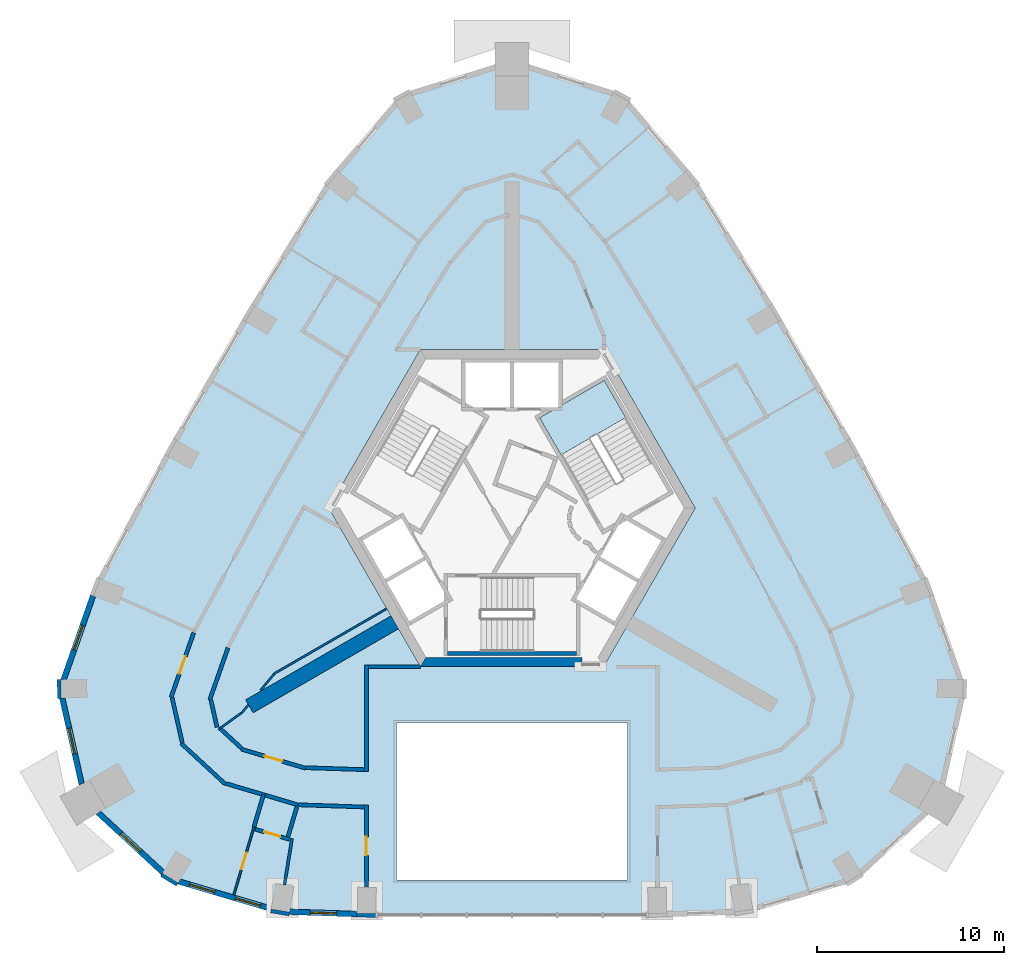
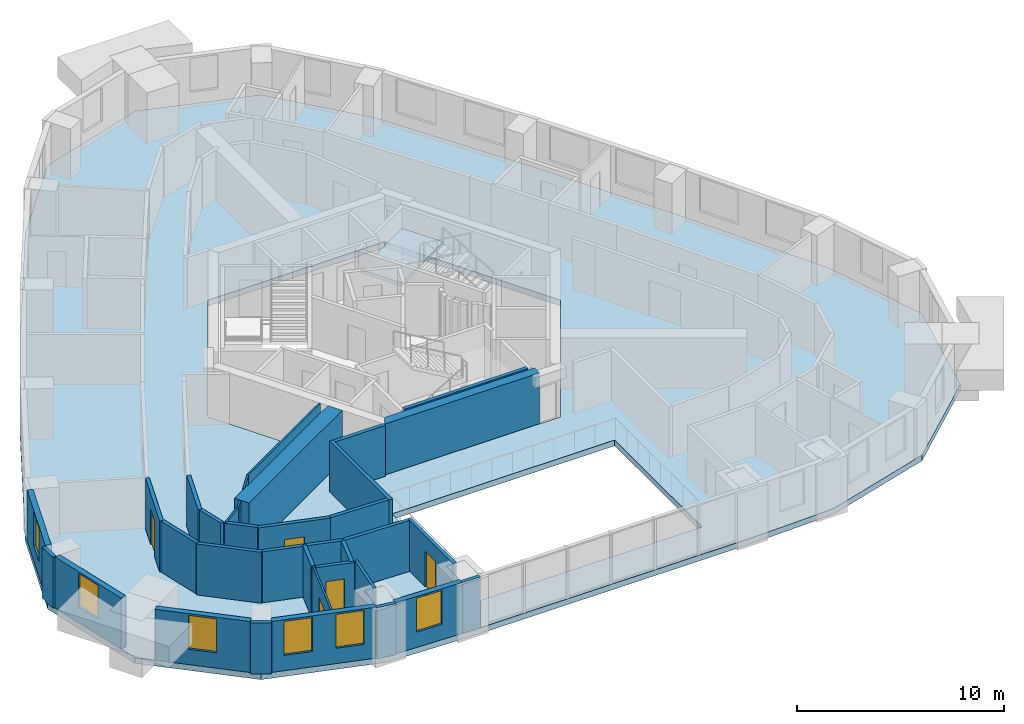
# One storey, part 3 of 10: 35 walls, 6 windows, 5 doors, 2 slabs, 11 openings, 1 element without a shape of its own.
"""IFC4 building model written with IfcOpenShell, lengths in metres."""

import ifcopenshell
import ifcopenshell.guid

model = None  # the IFC model being written
_history = None  # IfcOwnerHistory: only IFC2X3 demands one
_inside = {}  # id of a spatial element -> (the spatial element, [elements in it])
_under = {}  # id of a project, library or spatial element -> (it, [spatial elements below it])
_declared = {}  # id of a project -> (the project, [libraries it declares])
_typed = {}  # id of a type object -> (the type object, [elements of that type])
_made_of = {}  # id of a material, layer set ... -> (it, [elements and type objects made of it])


def new_model(schema):
    """Start an empty IFC model of exactly this schema.

    Asked for "IFC4X3", IfcOpenShell would pick the latest addendum, in which some entities
    have other attributes; the version numbers below select the first issue.
    IFC2X3 requires an IfcOwnerHistory on every rooted entity: one is made here for all.
    """
    global model, _history
    if schema == "IFC4X3":
        model = ifcopenshell.file(schema_version=(4, 3, 0, 0))
    else:
        model = ifcopenshell.file(schema=schema)
    _inside.clear()
    _under.clear()
    _declared.clear()
    _typed.clear()
    _made_of.clear()
    _history = None
    if model.schema == "IFC2X3":
        org = make("IfcOrganization", Name="unknown")
        user = make(
            "IfcPersonAndOrganization",
            ThePerson=make("IfcPerson", FamilyName="unknown"),
            TheOrganization=org,
        )
        app = make(
            "IfcApplication",
            ApplicationDeveloper=org,
            Version="unknown",
            ApplicationFullName="unknown",
            ApplicationIdentifier="unknown",
        )
        _history = make(
            "IfcOwnerHistory",
            OwningUser=user,
            OwningApplication=app,
            ChangeAction="ADDED",
            CreationDate=0,
        )
    return model


def make(cls, **values):
    """One entity of the class cls with the attributes given. An attribute that is None is left unset."""
    return model.create_entity(
        cls, **{name: value for name, value in values.items() if value is not None}
    )


def rooted(cls, **values):
    """An entity with a GlobalId (a new one), such as an element, a storey or a relation."""
    return make(cls, GlobalId=ifcopenshell.guid.new(), OwnerHistory=_history, **values)


def si_unit(unit_type, name, prefix=None):
    """IfcSIUnit, for example si_unit("LENGTHUNIT", "METRE", prefix="MILLI")."""
    return make("IfcSIUnit", UnitType=unit_type, Prefix=prefix, Name=name)


def assignment(units):
    """IfcUnitAssignment: the units of a project."""
    return None if units is None else make("IfcUnitAssignment", Units=units)


def point(xyz):
    """IfcCartesianPoint."""
    return None if xyz is None else make("IfcCartesianPoint", Coordinates=xyz)


def direction(xyz):
    """IfcDirection."""
    return None if xyz is None else make("IfcDirection", DirectionRatios=xyz)


def frame(location, z_axis=None, x_axis=None):
    """IfcAxis2Placement3D, a coordinate frame: its origin and axes. An axis left out is left unset."""
    return make(
        "IfcAxis2Placement3D",
        Location=point(location),
        Axis=direction(z_axis),
        RefDirection=direction(x_axis),
    )


def frame_2d(location, x_axis=None):
    """IfcAxis2Placement2D, a coordinate frame in the plane: its origin and x axis."""
    return make(
        "IfcAxis2Placement2D", Location=point(location), RefDirection=direction(x_axis)
    )


def origin():
    """The frame at (0, 0, 0) with its axes left unset."""
    return frame((0.0, 0.0, 0.0))


def place(relative_to, where):
    """IfcLocalPlacement: puts the frame where relative to a parent placement (None: the world)."""
    return make(
        "IfcLocalPlacement", PlacementRelTo=relative_to, RelativePlacement=where
    )


def context(
    kind, dimensions, precision=None, world=None, true_north=None, identifier=None
):
    """IfcGeometricRepresentationContext, for example the 3D "Model" context."""
    return make(
        "IfcGeometricRepresentationContext",
        ContextIdentifier=identifier,
        ContextType=kind,
        CoordinateSpaceDimension=dimensions,
        Precision=precision,
        WorldCoordinateSystem=world,
        TrueNorth=true_north,
    )


def subcontext(parent, identifier, kind, view, scale=None):
    """IfcGeometricRepresentationSubContext, for example "Body" below "Model"."""
    return make(
        "IfcGeometricRepresentationSubContext",
        ContextIdentifier=identifier,
        ContextType=kind,
        ParentContext=parent,
        TargetScale=scale,
        TargetView=view,
    )


def project(units=None, contexts=None):
    """IfcProject with its units and contexts."""
    return rooted(
        "IfcProject",
        Name="project",
        RepresentationContexts=contexts,
        UnitsInContext=assignment(units),
    )


def spatial(cls, under=None, at=None, **own):
    """A site, building, storey or space (cls), placed at a placement, below another one or the project."""
    s = rooted(cls, ObjectPlacement=at, **own)
    if under is not None:
        _under.setdefault(under.id(), (under, []))[1].append(s)
    return s


def polyline(points):
    """IfcPolyline through the points."""
    return make("IfcPolyline", Points=[point(p) for p in points])


def profile(cls, at=None, kind="AREA", **sizes):
    """A parametric profile (cls). Its sizes go by their IFC names, for example OverallWidth=200.0."""
    return make(cls, ProfileType=kind, Position=at, **sizes)


def rectangle(**sizes):
    """IfcRectangleProfileDef."""
    return profile("IfcRectangleProfileDef", **sizes)


def outline(outer, holes=None, kind="AREA"):
    """IfcArbitraryClosedProfileDef: a profile drawn as a closed curve; with holes, ...WithVoids."""
    if holes is None:
        return make("IfcArbitraryClosedProfileDef", ProfileType=kind, OuterCurve=outer)
    return make(
        "IfcArbitraryProfileDefWithVoids",
        ProfileType=kind,
        OuterCurve=outer,
        InnerCurves=holes,
    )


def extrude(swept, where, along, depth):
    """IfcExtrudedAreaSolid: the profile swept, set in the frame where, extruded along a direction by depth."""
    return make(
        "IfcExtrudedAreaSolid",
        SweptArea=swept,
        Position=where,
        ExtrudedDirection=direction(along),
        Depth=depth,
    )


def shape(context_of_items, identifier, shape_type, items):
    """IfcShapeRepresentation: the items that make up one representation, for example the "Body"."""
    return make(
        "IfcShapeRepresentation",
        ContextOfItems=context_of_items,
        RepresentationIdentifier=identifier,
        RepresentationType=shape_type,
        Items=items,
    )


def material(Name=None, Category=None):
    """IfcMaterial."""
    return make("IfcMaterial", Name=Name, Category=Category)


def layer(
    of_material, thickness, ventilated=None, Name=None, Category=None, Priority=None
):
    """IfcMaterialLayer: one layer of a wall or slab, of a material (None: an air gap)."""
    return make(
        "IfcMaterialLayer",
        Material=of_material,
        LayerThickness=thickness,
        IsVentilated=ventilated,
        Name=Name,
        Category=Category,
        Priority=Priority,
    )


def layer_set(layers, Name=None):
    """IfcMaterialLayerSet."""
    return make("IfcMaterialLayerSet", MaterialLayers=layers, LayerSetName=Name)


def made_of(thing, what):
    """Note that an element or type object is made of a material, layer set ...; save() writes the relation."""
    if what is not None:
        _made_of.setdefault(what.id(), (what, []))[1].append(thing)
    return thing


def type_object(cls, material=None, **own):
    """A type object (cls), such as IfcWallType, which elements share."""
    return made_of(rooted(cls, **own), material)


def element(
    cls,
    number,
    at=None,
    inside=None,
    cuts=None,
    type_object=None,
    material=None,
    context=None,
    identifier="Body",
    shape_type=None,
    held_by="IfcProductDefinitionShape",
    body=None,
    shapes=None,
    **own,
):
    """One element of the class cls, such as IfcWall. Its Tag is "e" and its number.

    at: its placement. inside: the storey or other place that contains it. cuts: it is an
    opening in that element (IfcRelVoidsElement). A single representation is given by context,
    identifier, shape_type and body (its items); several are given by shapes. held_by: the class
    of the entity that holds the representations. save() writes the other relations.
    """
    e = rooted(cls, Tag="e%d" % number, ObjectPlacement=at, **own)
    if body is not None:
        shapes = [shape(context, identifier, shape_type, body)]
    if shapes is not None:
        e.Representation = make(held_by, Representations=shapes)
    if inside is not None:
        _inside.setdefault(inside.id(), (inside, []))[1].append(e)
    if cuts is not None:
        rooted(
            "IfcRelVoidsElement", RelatingBuildingElement=cuts, RelatedOpeningElement=e
        )
    if type_object is not None:
        _typed.setdefault(type_object.id(), (type_object, []))[1].append(e)
    return made_of(e, material)


def fill(opening, filler):
    """IfcRelFillsElement: the door or window that sits in an opening."""
    return rooted(
        "IfcRelFillsElement",
        RelatingOpeningElement=opening,
        RelatedBuildingElement=filler,
    )


def aggregate(whole, parts):
    """IfcRelAggregates: a whole, such as a stair, and the parts it consists of."""
    return rooted("IfcRelAggregates", RelatingObject=whole, RelatedObjects=parts)


def save(model, path):
    """Write the relations noted so far, then the file.

    IfcRelAggregates (storeys below a building ...), IfcRelContainedInSpatialStructure (elements
    in a storey), IfcRelDefinesByType, IfcRelAssociatesMaterial and IfcRelDeclares: one each for
    every whole, place, type object, material and project.
    """
    for whole, parts in _under.values():
        aggregate(whole, parts)
    for where, things in _inside.values():
        rooted(
            "IfcRelContainedInSpatialStructure",
            RelatedElements=things,
            RelatingStructure=where,
        )
    for kind, things in _typed.values():
        rooted("IfcRelDefinesByType", RelatedObjects=things, RelatingType=kind)
    for what, things in _made_of.values():
        rooted("IfcRelAssociatesMaterial", RelatedObjects=things, RelatingMaterial=what)
    for by, libraries in _declared.values():
        rooted("IfcRelDeclares", RelatingContext=by, RelatedDefinitions=libraries)
    model.write(path)


model = new_model("IFC4")

# Units and contexts
model_context = context("Model", 3, precision=1e-05, world=origin(), true_north=direction((0.0, 1.0)))
body_context = subcontext(model_context, "Body", "Model", "MODEL_VIEW")
ifc_project = project(units=[si_unit("LENGTHUNIT", "METRE"), si_unit("AREAUNIT", "SQUARE_METRE"), si_unit("VOLUMEUNIT", "CUBIC_METRE"), si_unit("PLANEANGLEUNIT", "RADIAN"), si_unit("MASSUNIT", "GRAM", prefix="KILO")], contexts=[model_context])

# Site, building, storey
site_placement = place(None, origin())
site = spatial("IfcSite", under=ifc_project, at=site_placement, CompositionType="ELEMENT")
building_placement = place(site_placement, origin())
building = spatial("IfcBuilding", under=site, at=building_placement, Name="Entoto Arch Interchange Tower", CompositionType="ELEMENT")
storey_placement = place(building_placement, frame((0.0, 0.0, 322.39990234375)))
storey = spatial("IfcBuildingStorey", under=building, at=storey_placement, Name="L76", CompositionType="ELEMENT", Elevation=322.39990234375)

# Stair, slab
ifc_material_1 = material(Name="Concrete C40/50", Category="concrete")
stair_type = type_object("IfcStairType", Name="EXIT STAIR RC 1800", PredefinedType="HALF_TURN_STAIR", material=ifc_material_1)
stair_placement = place(storey_placement, origin())
stair = element("IfcStair", 1, at=stair_placement, inside=storey, type_object=stair_type, Name="L76 Exit stair NE", PredefinedType="HALF_TURN_STAIR")
ifc_layer_1 = layer(ifc_material_1, 0.199951171875)
ifc_layer_set_1 = layer_set([ifc_layer_1], Name="Concrete C40/50")
slab_type_1 = type_object("IfcSlabType", Name="EXIT STAIR LANDING RC 200", PredefinedType="LANDING", material=ifc_layer_set_1)
slab_1_placement = place(storey_placement, frame((0.0, 0.0, 1.60009765625)))
slab_1 = element("IfcSlab", 2, at=slab_1_placement, type_object=slab_type_1, Name="ST-NE landing 1", PredefinedType="LANDING", context=body_context, shape_type="SweptSolid", body=[
    extrude(outline(polyline([(6.093505859375, 7.345947265625), (4.943359375, 9.337890625), (1.479248046875, 7.337890625), (2.62939453125, 5.345947265625), (6.093505859375, 7.345947265625)])), origin(), (0.0, 0.0, 1.0), 0.199951171875),
])
aggregate(stair, [slab_1])

# Slab
ifc_layer_2 = layer(ifc_material_1, 0.340087890625)
ifc_layer_set_2 = layer_set([ifc_layer_2], Name="Concrete C40/50")
slab_type_2 = type_object("IfcSlabType", Name="Post-tensioned flat plate 340 C40/50", PredefinedType="FLOOR", material=ifc_layer_set_2)
slab_2_placement = place(storey_placement, frame((0.0, 0.0, -0.33984375)))
element("IfcSlab", 3, at=slab_2_placement, inside=storey, type_object=slab_type_2, Name="Floor slab L76", PredefinedType="FLOOR", context=body_context, shape_type="SweptSolid", body=[
    extrude(outline(polyline([(-12.447998046875, -19.27197265625), (-7.800048828125, -19.427978515625), (7.800048828125, -19.427978515625), (12.447998046875, -19.27197265625), (18.41796875, -17.501953125), (22.99609375, -13.277099609375), (24.365966796875, -7.198974609375), (22.43310546875, -1.68798828125), (18.385986328125, 5.797119140625), (14.212890625, 13.02392578125), (9.75390625, 20.27197265625), (5.947998046875, 24.700927734375), (0.0, 26.552978515625), (-5.947998046875, 24.700927734375), (-9.75390625, 20.27197265625), (-14.212890625, 13.02392578125), (-18.385986328125, 5.797119140625), (-22.43310546875, -1.68798828125), (-24.365966796875, -7.198974609375), (-22.99609375, -13.277099609375), (-18.41796875, -17.501953125), (-12.447998046875, -19.27197265625)]), holes=[polyline([(6.199951171875, -17.427978515625), (6.199951171875, -9.0), (-6.199951171875, -9.0), (-6.199951171875, -17.427978515625), (6.199951171875, -17.427978515625)]), polyline([(9.81494140625, 2.5), (4.906982421875, 11.0), (-4.906982421875, 11.0), (-9.81494140625, 2.5), (-4.906982421875, -6.0), (4.906982421875, -6.0), (9.81494140625, 2.5)])]), origin(), (0.0, 0.0, 1.0), 0.33984375),
])

# Walls
ifc_layer_3 = layer(ifc_material_1, 0.800048828125)
ifc_layer_set_3 = layer_set([ifc_layer_3], Name="Concrete C40/50")
wall_type_1 = type_object("IfcWallType", Name="Buttress wall 800 C40/50", PredefinedType="SHEAR", material=ifc_layer_set_3)
wall_1_placement = place(storey_placement, frame((-6.279052734375, -3.625, -0.33984375), z_axis=(0.0, 0.0, 1.0), x_axis=(-0.866017533419, -0.500013631625, 0.0)))
element("IfcWall", 4, at=wall_1_placement, inside=storey, type_object=wall_type_1, Name="Buttress wall SW L76", PredefinedType="SHEAR", context=body_context, shape_type="SweptSolid", body=[
    extrude(rectangle(XDim=8.999755859375, YDim=0.800048828125, at=frame_2d((4.5, 0.0))), origin(), (0.0, 0.0, 1.0), 3.33984375),
])
ifc_layer_4 = layer(ifc_material_1, 0.5)
ifc_layer_set_4 = layer_set([ifc_layer_4], Name="Concrete C40/50")
wall_type_2 = type_object("IfcWallType", Name="Core wall 500 C40/50", PredefinedType="SHEAR", material=ifc_layer_set_4)
wall_2_placement = place(storey_placement, frame((0.0, 0.0, -0.33984375)))
element("IfcWall", 5, at=wall_2_placement, inside=storey, type_object=wall_type_2, Name="Core wall S L76", PredefinedType="SHEAR", context=body_context, shape_type="SweptSolid", body=[
    extrude(outline(polyline([(3.75, -6.0), (3.75, -5.5), (-4.618896484375, -5.5), (-4.906982421875, -6.0), (3.75, -6.0)])), origin(), (0.0, 0.0, 1.0), 3.33984375),
])
ifc_material_2 = material(Name="Gypsum board partition on steel studs", Category="steel")
ifc_layer_5 = layer(ifc_material_2, 0.10009765625)
ifc_layer_set_5 = layer_set([ifc_layer_5], Name="Gypsum board partition on steel studs")
wall_type_3 = type_object("IfcWallType", Name="PARTITION 100", PredefinedType="PARTITIONING", material=ifc_layer_set_5)
wall_3_placement = place(storey_placement, frame((-6.705078125, -2.886962890625, 0.0), z_axis=(0.0, 0.0, 1.0), x_axis=(-0.866001397039, -0.500041578597, 0.0)))
element("IfcWall", 6, at=wall_3_placement, inside=storey, type_object=wall_type_3, Name="wall:L76:p077", PredefinedType="PARTITIONING", context=body_context, shape_type="SweptSolid", body=[
    extrude(rectangle(XDim=6.99755859375, YDim=0.10009765625, at=frame_2d((3.498779296875, 0.0))), origin(), (0.0, 0.0, 1.0), 3.0),
])
wall_4_placement = place(storey_placement, frame((-12.7529296875, -6.39892578125, 0.0), z_axis=(0.0, 0.0, 1.0), x_axis=(-0.640077503072, -0.768310347491, 0.0)))
element("IfcWall", 7, at=wall_4_placement, inside=storey, type_object=wall_type_3, Name="wall:L76:p078", PredefinedType="PARTITIONING", context=body_context, shape_type="SweptSolid", body=[
    extrude(rectangle(XDim=1.123291015625, YDim=0.10009765625, at=frame_2d((0.5615234375, 0.0))), origin(), (0.0, 0.0, 1.0), 3.0),
])
wall_5_placement = place(storey_placement, frame((-14.507080078125, -8.486083984375, 0.0), z_axis=(0.0, 0.0, 1.0), x_axis=(-0.812782900134, -0.582566697684, 0.0)))
element("IfcWall", 8, at=wall_5_placement, inside=storey, type_object=wall_type_3, Name="wall:L76:p079", PredefinedType="PARTITIONING", context=body_context, shape_type="SweptSolid", body=[
    extrude(rectangle(XDim=1.4072265625, YDim=0.10009765625, at=frame_2d((0.70361328125, 0.0))), origin(), (0.0, 0.0, 1.0), 3.0),
])

# Wall, opening, door
wall_6_placement = place(storey_placement, frame((-13.827880859375, -14.5869140625, 0.0), z_axis=(0.0, 0.0, 1.0), x_axis=(-0.284245833657, -0.958751430794, 0.0)))
wall_6 = element("IfcWall", 9, at=wall_6_placement, inside=storey, type_object=wall_type_3, Name="wall:L76:p104", PredefinedType="PARTITIONING", context=body_context, shape_type="SweptSolid", body=[
    extrude(rectangle(XDim=3.7998046875, YDim=0.10009765625, at=frame_2d((1.89990234375, 0.0))), origin(), (0.0, 0.0, 1.0), 3.0),
])
opening_1_placement = place(wall_6_placement, frame((1.449951171875, 0.0, 0.0)))
opening_1 = element("IfcOpeningElement", 10, at=opening_1_placement, cuts=wall_6, Name="Opening L76-D14", PredefinedType="OPENING", context=body_context, shape_type="SweptSolid", body=[
    extrude(rectangle(XDim=0.89990234375, YDim=2.10009765625, at=frame_2d((0.449951171875, 1.050048828125))), frame((0.0, 0.06005859375, 0.0), z_axis=(0.0, -1.0, 0.0), x_axis=(1.0, 0.0, 0.0)), (0.0, 0.0, 1.0), 0.1201171875),
])
ifc_material_3 = material(Name="Timber door leaf in Steel S235 frame", Category="steel")
door_type_1 = type_object("IfcDoorType", Name="DOOR DS-09 900x2100", OperationType="SINGLE_SWING_LEFT", PredefinedType="DOOR", material=ifc_material_3)
door_1_placement = place(opening_1_placement, origin())
door_1 = element("IfcDoor", 11, at=door_1_placement, inside=storey, type_object=door_type_1, Name="door:L76:14", OperationType="SINGLE_SWING_RIGHT", OverallHeight=2.10009765625, OverallWidth=0.89990234375, PredefinedType="DOOR", context=body_context, shape_type="SweptSolid", body=[
    extrude(rectangle(XDim=0.89990234375, YDim=2.10009765625, at=frame_2d((0.449951171875, 1.050048828125))), frame((0.0, 0.02490234375, 0.0), z_axis=(0.0, -1.0, 0.0), x_axis=(1.0, 0.0, 0.0)), (0.0, 0.0, 1.0), 0.050048828125),
])
fill(opening_1, door_1)

# Walls
wall_7_placement = place(storey_placement, frame((-14.133056640625, -8.055908203125, 0.0), z_axis=(0.0, 0.0, 1.0), x_axis=(-0.640142394154, -0.768256282244, 0.0)))
element("IfcWall", 12, at=wall_7_placement, inside=storey, type_object=wall_type_3, Name="wall:L76:p078", PredefinedType="PARTITIONING", context=body_context, shape_type="SweptSolid", body=[
    extrude(rectangle(XDim=0.57177734375, YDim=0.10009765625, at=frame_2d((0.285888671875, 0.0))), origin(), (0.0, 0.0, 1.0), 3.0),
])
ifc_layer_6 = layer(ifc_material_2, 0.14990234375)
ifc_layer_set_6 = layer_set([ifc_layer_6], Name="Gypsum board partition on steel studs")
wall_type_4 = type_object("IfcWallType", Name="PARTITION 150", PredefinedType="PARTITIONING", material=ifc_layer_set_6)
wall_8_placement = place(storey_placement, frame((-11.7900390625, -15.216064453125, 0.0), z_axis=(0.0, 0.0, 1.0), x_axis=(-0.159880010227, -0.98713645578, 0.0)))
element("IfcWall", 13, at=wall_8_placement, inside=storey, type_object=wall_type_4, Name="wall:L76:p107", PredefinedType="PARTITIONING", context=body_context, shape_type="SweptSolid", body=[
    extrude(rectangle(XDim=2.489013671875, YDim=0.14990234375, at=frame_2d((1.24462890625, 0.0))), origin(), (0.0, 0.0, 1.0), 3.0),
])
ifc_layer_7 = layer(ifc_material_2, 0.199951171875)
ifc_layer_set_7 = layer_set([ifc_layer_7], Name="Gypsum board partition on steel studs")
wall_type_5 = type_object("IfcWallType", Name="PARTITION 200", PredefinedType="PARTITIONING", material=ifc_layer_set_7)
wall_9_placement = place(storey_placement, frame((-15.218994140625, -4.988037109375, 0.0), z_axis=(0.0, 0.0, 1.0), x_axis=(-0.330981563235, -0.943637220969, 0.0)))
element("IfcWall", 14, at=wall_9_placement, inside=storey, type_object=wall_type_5, Name="wall:L76:p023", PredefinedType="PARTITIONING", context=body_context, shape_type="SweptSolid", body=[
    extrude(rectangle(XDim=2.946044921875, YDim=0.199951171875, at=frame_2d((1.47314453125, 0.0))), origin(), (0.0, 0.0, 1.0), 3.0),
])
wall_10_placement = place(storey_placement, frame((-16.138916015625, -7.77197265625, 0.0), z_axis=(0.0, 0.0, 1.0), x_axis=(0.220111291919, -0.975474766034, 0.0)))
element("IfcWall", 15, at=wall_10_placement, inside=storey, type_object=wall_type_5, Name="wall:L76:p024", PredefinedType="PARTITIONING", context=body_context, shape_type="SweptSolid", body=[
    extrude(rectangle(XDim=1.5029296875, YDim=0.199951171875, at=frame_2d((0.75146484375, 0.0))), origin(), (0.0, 0.0, 1.0), 3.0),
])
wall_11_placement = place(storey_placement, frame((-15.68701171875, -9.27197265625, 0.0), z_axis=(0.0, 0.0, 1.0), x_axis=(0.734946370973, -0.67812523312, 0.0)))
element("IfcWall", 16, at=wall_11_placement, inside=storey, type_object=wall_type_5, Name="wall:L76:p026", PredefinedType="PARTITIONING", context=body_context, shape_type="SweptSolid", body=[
    extrude(rectangle(XDim=1.636962890625, YDim=0.199951171875, at=frame_2d((0.818359375, 0.0))), origin(), (0.0, 0.0, 1.0), 3.0),
])

# Wall, opening, door
wall_12_placement = place(storey_placement, frame((-14.506103515625, -10.422119140625, 0.0), z_axis=(0.0, 0.0, 1.0), x_axis=(0.958760241353, -0.284216114252, 0.0)))
wall_12 = element("IfcWall", 17, at=wall_12_placement, inside=storey, type_object=wall_type_5, Name="wall:L76:p027", PredefinedType="PARTITIONING", context=body_context, shape_type="SweptSolid", body=[
    extrude(rectangle(XDim=3.57763671875, YDim=0.199951171875, at=frame_2d((1.788818359375, 0.0))), origin(), (0.0, 0.0, 1.0), 3.0),
])
opening_2_placement = place(wall_12_placement, frame((1.2890625, 0.0, 0.0)))
opening_2 = element("IfcOpeningElement", 18, at=opening_2_placement, cuts=wall_12, Name="Opening L76-D23", PredefinedType="OPENING", context=body_context, shape_type="SweptSolid", body=[
    extrude(rectangle(XDim=1.0, YDim=2.10009765625, at=frame_2d((0.5, 1.050048828125))), frame((0.0, 0.10986328125, 0.0), z_axis=(0.0, -1.0, 0.0), x_axis=(1.0, 0.0, 0.0)), (0.0, 0.0, 1.0), 0.219970703125),
])
door_type_2 = type_object("IfcDoorType", Name="DOOR DS-10 1000x2100", OperationType="SINGLE_SWING_LEFT", PredefinedType="DOOR", material=ifc_material_3)
door_2_placement = place(opening_2_placement, origin())
door_2 = element("IfcDoor", 19, at=door_2_placement, inside=storey, type_object=door_type_2, Name="door:L76:23", OperationType="SINGLE_SWING_RIGHT", OverallHeight=2.10009765625, OverallWidth=1.0, PredefinedType="DOOR", context=body_context, shape_type="SweptSolid", body=[
    extrude(rectangle(XDim=1.0, YDim=2.10009765625, at=frame_2d((0.5, 1.050048828125))), frame((0.0, 0.02490234375, 0.0), z_axis=(0.0, -1.0, 0.0), x_axis=(1.0, 0.0, 0.0)), (0.0, 0.0, 1.0), 0.050048828125),
])
fill(opening_2, door_2)

# Walls
wall_13_placement = place(storey_placement, frame((-11.072021484375, -11.4140625, 0.0), z_axis=(0.0, 0.0, 1.0), x_axis=(0.999442599499, -0.033383982774, 0.0)))
element("IfcWall", 20, at=wall_13_placement, inside=storey, type_object=wall_type_5, Name="wall:L76:p028", PredefinedType="PARTITIONING", context=body_context, shape_type="SweptSolid", body=[
    extrude(rectangle(XDim=3.173828125, YDim=0.199951171875, at=frame_2d((1.5869140625, 0.0))), origin(), (0.0, 0.0, 1.0), 3.0),
])
wall_14_placement = place(storey_placement, frame((-13.219970703125, -12.888916015625, 0.0), z_axis=(0.0, 0.0, 1.0), x_axis=(-0.958789155152, 0.284118559693, 0.0)))
element("IfcWall", 21, at=wall_14_placement, inside=storey, type_object=wall_type_5, Name="wall:L76:p051", PredefinedType="PARTITIONING", context=body_context, shape_type="SweptSolid", body=[
    extrude(rectangle(XDim=2.19970703125, YDim=0.199951171875, at=frame_2d((1.099853515625, 0.0))), origin(), (0.0, 0.0, 1.0), 3.0),
])
wall_15_placement = place(storey_placement, frame((-15.35205078125, -12.302978515625, 0.0), z_axis=(0.0, 0.0, 1.0), x_axis=(-0.734786003021, 0.67829899732, 0.0)))
element("IfcWall", 22, at=wall_15_placement, inside=storey, type_object=wall_type_5, Name="wall:L76:p052", PredefinedType="PARTITIONING", context=body_context, shape_type="SweptSolid", body=[
    extrude(rectangle(XDim=3.219970703125, YDim=0.199951171875, at=frame_2d((1.60986328125, 0.0))), origin(), (0.0, 0.0, 1.0), 3.0),
])
wall_16_placement = place(storey_placement, frame((-17.666015625, -10.090087890625, 0.0), z_axis=(0.0, 0.0, 1.0), x_axis=(-0.219979161162, 0.975504571314, 0.0)))
element("IfcWall", 23, at=wall_16_placement, inside=storey, type_object=wall_type_5, Name="wall:L76:p053", PredefinedType="PARTITIONING", context=body_context, shape_type="SweptSolid", body=[
    extrude(rectangle(XDim=2.50048828125, YDim=0.199951171875, at=frame_2d((1.250244140625, 0.0))), origin(), (0.0, 0.0, 1.0), 3.0),
])

# Wall, opening, door
wall_17_placement = place(storey_placement, frame((-18.27099609375, -7.64794921875, 0.0), z_axis=(0.0, 0.0, 1.0), x_axis=(0.33112192567, 0.943587977001, 0.0)))
wall_17 = element("IfcWall", 24, at=wall_17_placement, inside=storey, type_object=wall_type_5, Name="wall:L76:p054", PredefinedType="PARTITIONING", context=body_context, shape_type="SweptSolid", body=[
    extrude(rectangle(XDim=3.678466796875, YDim=0.199951171875, at=frame_2d((1.83935546875, 0.0))), origin(), (0.0, 0.0, 1.0), 3.0),
])
opening_3_placement = place(wall_17_placement, frame((1.339111328125, 0.0, 0.0)))
opening_3 = element("IfcOpeningElement", 25, at=opening_3_placement, cuts=wall_17, Name="Opening L76-D13", PredefinedType="OPENING", context=body_context, shape_type="SweptSolid", body=[
    extrude(rectangle(XDim=1.0, YDim=2.10009765625, at=frame_2d((0.5, 1.050048828125))), frame((0.0, 0.10986328125, 0.0), z_axis=(0.0, -1.0, 0.0), x_axis=(1.0, 0.0, 0.0)), (0.0, 0.0, 1.0), 0.219970703125),
])
ifc_material_4 = material(Name="Fire-rated Steel S235 door and frame", Category="steel")
door_type_3 = type_object("IfcDoorType", Name="DOOR FD-10 1000x2100", OperationType="SINGLE_SWING_LEFT", PredefinedType="DOOR", material=ifc_material_4)
door_3_placement = place(opening_3_placement, origin())
door_3 = element("IfcDoor", 26, at=door_3_placement, inside=storey, type_object=door_type_3, Name="door:L76:13", OperationType="SINGLE_SWING_LEFT", OverallHeight=2.10009765625, OverallWidth=1.0, PredefinedType="DOOR", context=body_context, shape_type="SweptSolid", body=[
    extrude(rectangle(XDim=1.0, YDim=2.10009765625, at=frame_2d((0.5, 1.050048828125))), frame((0.0, 0.02490234375, 0.0), z_axis=(0.0, -1.0, 0.0), x_axis=(1.0, 0.0, 0.0)), (0.0, 0.0, 1.0), 0.050048828125),
])
fill(opening_3, door_3)

# Walls
wall_18_placement = place(storey_placement, frame((-11.4951171875, -13.40087890625, 0.0), z_axis=(0.0, 0.0, 1.0), x_axis=(-0.958662482938, 0.284545679649, 0.0)))
element("IfcWall", 27, at=wall_18_placement, inside=storey, type_object=wall_type_5, Name="wall:L76:p055", PredefinedType="PARTITIONING", context=body_context, shape_type="SweptSolid", body=[
    extrude(rectangle(XDim=1.79931640625, YDim=0.199951171875, at=frame_2d((0.899658203125, 0.0))), origin(), (0.0, 0.0, 1.0), 3.0),
])
wall_19_placement = place(storey_placement, frame((-7.89990234375, -13.52099609375, 0.0), z_axis=(0.0, 0.0, 1.0), x_axis=(-0.999437184802, 0.033545694739, 0.0)))
element("IfcWall", 28, at=wall_19_placement, inside=storey, type_object=wall_type_5, Name="wall:L76:p056", PredefinedType="PARTITIONING", context=body_context, shape_type="SweptSolid", body=[
    extrude(rectangle(XDim=3.697265625, YDim=0.199951171875, at=frame_2d((1.8486328125, 0.0))), origin(), (0.0, 0.0, 1.0), 3.0),
])
wall_20_placement = place(storey_placement, frame((-7.800048828125, -11.6240234375, 0.0), z_axis=(0.0, 0.0, 1.0), x_axis=(0.0, 1.0, 0.0)))
element("IfcWall", 29, at=wall_20_placement, inside=storey, type_object=wall_type_5, Name="wall:L76:p071", PredefinedType="PARTITIONING", context=body_context, shape_type="SweptSolid", body=[
    extrude(rectangle(XDim=5.72509765625, YDim=0.199951171875, at=frame_2d((2.862548828125, 0.0))), origin(), (0.0, 0.0, 1.0), 3.0),
])
wall_21_placement = place(storey_placement, frame((-7.699951171875, -5.9990234375, 0.0), z_axis=(0.0, 0.0, 1.0), x_axis=(1.0, 0.0, 0.0)))
element("IfcWall", 30, at=wall_21_placement, inside=storey, type_object=wall_type_5, Name="wall:L76:p072", PredefinedType="PARTITIONING", context=body_context, shape_type="SweptSolid", body=[
    extrude(rectangle(XDim=2.7919921875, YDim=0.199951171875, at=frame_2d((1.39599609375, 0.0))), origin(), (0.0, 0.0, 1.0), 3.0),
])

# Wall, opening, door
wall_22_placement = place(storey_placement, frame((-7.800048828125, -17.80810546875, 0.0), z_axis=(0.0, 0.0, 1.0), x_axis=(0.0, 1.0, 0.0)))
wall_22 = element("IfcWall", 31, at=wall_22_placement, inside=storey, type_object=wall_type_5, Name="wall:L76:p074", PredefinedType="PARTITIONING", context=body_context, shape_type="SweptSolid", body=[
    extrude(rectangle(XDim=4.383056640625, YDim=0.199951171875, at=frame_2d((2.19140625, 0.0))), origin(), (0.0, 0.0, 1.0), 3.0),
])
opening_4_placement = place(wall_22_placement, frame((1.69091796875, 0.0, 0.0)))
opening_4 = element("IfcOpeningElement", 32, at=opening_4_placement, cuts=wall_22, Name="Opening L76-D18", PredefinedType="OPENING", context=body_context, shape_type="SweptSolid", body=[
    extrude(rectangle(XDim=1.0, YDim=2.10009765625, at=frame_2d((0.5, 1.050048828125))), frame((0.0, 0.10986328125, 0.0), z_axis=(0.0, -1.0, 0.0), x_axis=(1.0, 0.0, 0.0)), (0.0, 0.0, 1.0), 0.219970703125),
])
door_4_placement = place(opening_4_placement, origin())
door_4 = element("IfcDoor", 33, at=door_4_placement, inside=storey, type_object=door_type_2, Name="door:L76:18", OperationType="SINGLE_SWING_LEFT", OverallHeight=2.10009765625, OverallWidth=1.0, PredefinedType="DOOR", context=body_context, shape_type="SweptSolid", body=[
    extrude(rectangle(XDim=1.0, YDim=2.10009765625, at=frame_2d((0.5, 1.050048828125))), frame((0.0, 0.02490234375, 0.0), z_axis=(0.0, -1.0, 0.0), x_axis=(1.0, 0.0, 0.0)), (0.0, 0.0, 1.0), 0.050048828125),
])
fill(opening_4, door_4)

# Wall
wall_23_placement = place(storey_placement, frame((-13.31591796875, -12.861083984375, 0.0), z_axis=(0.0, 0.0, 1.0), x_axis=(-0.283898972531, -0.958854198195, 0.0)))
element("IfcWall", 34, at=wall_23_placement, inside=storey, type_object=wall_type_5, Name="wall:L76:p105", PredefinedType="PARTITIONING", context=body_context, shape_type="SweptSolid", body=[
    extrude(rectangle(XDim=1.7998046875, YDim=0.199951171875, at=frame_2d((0.89990234375, 0.0))), origin(), (0.0, 0.0, 1.0), 3.0),
])

# Wall, opening, door
wall_24_placement = place(storey_placement, frame((-13.760009765625, -14.7109375, 0.0), z_axis=(0.0, 0.0, 1.0), x_axis=(0.958772187895, -0.284175811285, 0.0)))
wall_24 = element("IfcWall", 35, at=wall_24_placement, inside=storey, type_object=wall_type_5, Name="wall:L76:p106", PredefinedType="PARTITIONING", context=body_context, shape_type="SweptSolid", body=[
    extrude(rectangle(XDim=1.900390625, YDim=0.199951171875, at=frame_2d((0.9501953125, 0.0))), origin(), (0.0, 0.0, 1.0), 3.0),
])
opening_5_placement = place(wall_24_placement, frame((0.5, 0.0, 0.0)))
opening_5 = element("IfcOpeningElement", 36, at=opening_5_placement, cuts=wall_24, Name="Opening L76-D15", PredefinedType="OPENING", context=body_context, shape_type="SweptSolid", body=[
    extrude(rectangle(XDim=0.89990234375, YDim=2.10009765625, at=frame_2d((0.449951171875, 1.050048828125))), frame((0.0, 0.10986328125, 0.0), z_axis=(0.0, -1.0, 0.0), x_axis=(1.0, 0.0, 0.0)), (0.0, 0.0, 1.0), 0.219970703125),
])
door_5_placement = place(opening_5_placement, origin())
door_5 = element("IfcDoor", 37, at=door_5_placement, inside=storey, type_object=door_type_1, Name="door:L76:15", OperationType="SINGLE_SWING_LEFT", OverallHeight=2.10009765625, OverallWidth=0.89990234375, PredefinedType="DOOR", context=body_context, shape_type="SweptSolid", body=[
    extrude(rectangle(XDim=0.89990234375, YDim=2.10009765625, at=frame_2d((0.449951171875, 1.050048828125))), frame((0.0, 0.02490234375, 0.0), z_axis=(0.0, -1.0, 0.0), x_axis=(1.0, 0.0, 0.0)), (0.0, 0.0, 1.0), 0.050048828125),
])
fill(opening_5, door_5)

# Walls
wall_25_placement = place(storey_placement, frame((-11.4951171875, -13.40087890625, 0.0), z_axis=(0.0, 0.0, 1.0), x_axis=(-0.284465432667, -0.958686297815, 0.0)))
element("IfcWall", 38, at=wall_25_placement, inside=storey, type_object=wall_type_5, Name="wall:L76:p108", PredefinedType="PARTITIONING", context=body_context, shape_type="SweptSolid", body=[
    extrude(rectangle(XDim=1.87353515625, YDim=0.199951171875, at=frame_2d((0.936767578125, 0.0))), origin(), (0.0, 0.0, 1.0), 3.0),
])
ifc_layer_8 = layer(ifc_material_1, 0.199951171875)
ifc_layer_set_8 = layer_set([ifc_layer_8], Name="Concrete C40/50")
wall_type_6 = type_object("IfcWallType", Name="STAIR ENCLOSURE WALL 200", PredefinedType="STANDARD", material=ifc_layer_set_8)
wall_26_placement = place(storey_placement, frame((-3.449951171875, -5.300048828125, 0.0), z_axis=(0.0, 0.0, 1.0), x_axis=(1.0, 0.0, 0.0)))
element("IfcWall", 39, at=wall_26_placement, inside=storey, type_object=wall_type_6, Name="Stair wall ST-S back", PredefinedType="STANDARD", context=body_context, shape_type="SweptSolid", body=[
    extrude(rectangle(XDim=6.89990234375, YDim=0.199951171875, at=frame_2d((3.449951171875, 0.0))), origin(), (0.0, 0.0, 1.0), 3.0),
])

# Wall, opening, window
ifc_material_5 = material(Name="Welded tuff (ignimbrite) cladding, warm buff", Category="masonry")
ifc_layer_9 = layer(ifc_material_5, 0.300048828125)
ifc_layer_set_9 = layer_set([ifc_layer_9], Name="Welded tuff (ignimbrite) cladding, warm buff")
wall_type_7 = type_object("IfcWallType", Name="STONE INFILL WALL 300", PredefinedType="STANDARD", material=ifc_layer_set_9)
wall_27_placement = place(storey_placement, frame((-11.9189453125, -19.139892578125, 0.0), z_axis=(0.0, 0.0, 1.0), x_axis=(0.999441913039, -0.033404527552, 0.0)))
wall_27 = element("IfcWall", 40, at=wall_27_placement, inside=storey, type_object=wall_type_7, Name="Facade wall S-01 L76", PredefinedType="STANDARD", context=body_context, shape_type="SweptSolid", body=[
    extrude(rectangle(XDim=3.625, YDim=0.300048828125, at=frame_2d((1.8125, 0.0))), origin(), (0.0, 0.0, 1.0), 3.0),
])
opening_6_placement = place(wall_27_placement, frame((1.113037109375, 0.0, 0.89990234375)))
opening_6 = element("IfcOpeningElement", 41, at=opening_6_placement, cuts=wall_27, Name="Opening WH-B", PredefinedType="OPENING", context=body_context, shape_type="SweptSolid", body=[
    extrude(rectangle(XDim=1.39990234375, YDim=2.0, at=frame_2d((0.699951171875, 1.0))), frame((0.0, 0.16015625, 0.0), z_axis=(0.0, -1.0, 0.0), x_axis=(1.0, 0.0, 0.0)), (0.0, 0.0, 1.0), 0.320068359375),
])
ifc_material_6 = material(Name="Clear glass, low-e double glazed", Category="glass")
window_type = type_object("IfcWindowType", Name="WINDOW WH-B 1400x2000", PartitioningType="DOUBLE_PANEL_VERTICAL", PredefinedType="WINDOW", material=ifc_material_6)
window_1_placement = place(opening_6_placement, origin())
window_1 = element("IfcWindow", 42, at=window_1_placement, inside=storey, type_object=window_type, Name="Window WH-B S-01 L76", OverallHeight=2.0, OverallWidth=1.39990234375, PartitioningType="SINGLE_PANEL", PredefinedType="WINDOW", context=body_context, shape_type="SweptSolid", body=[
    extrude(rectangle(XDim=1.39990234375, YDim=2.0, at=frame_2d((0.699951171875, 1.0))), frame((0.0, 0.030029296875, 0.0), z_axis=(0.0, -1.0, 0.0), x_axis=(1.0, 0.0, 0.0)), (0.0, 0.0, 1.0), 0.06005859375),
])
fill(opening_6, window_1)

wall_28_placement = place(storey_placement, frame((-22.4580078125, -2.2119140625, 0.0), z_axis=(0.0, 0.0, 1.0), x_axis=(-0.330923030855, -0.943657749213, 0.0)))
wall_28 = element("IfcWall", 43, at=wall_28_placement, inside=storey, type_object=wall_type_7, Name="Facade wall SW-01 L76", PredefinedType="STANDARD", context=body_context, shape_type="SweptSolid", body=[
    extrude(rectangle(XDim=4.74755859375, YDim=0.300048828125, at=frame_2d((2.373779296875, 0.0))), origin(), (0.0, 0.0, 1.0), 3.0),
])
opening_7_placement = place(wall_28_placement, frame((1.674072265625, 0.0, 0.89990234375)))
opening_7 = element("IfcOpeningElement", 44, at=opening_7_placement, cuts=wall_28, Name="Opening WH-B", PredefinedType="OPENING", context=body_context, shape_type="SweptSolid", body=[
    extrude(rectangle(XDim=1.39990234375, YDim=2.0, at=frame_2d((0.699951171875, 1.0))), frame((0.0, 0.16015625, 0.0), z_axis=(0.0, -1.0, 0.0), x_axis=(1.0, 0.0, 0.0)), (0.0, 0.0, 1.0), 0.320068359375),
])
window_2_placement = place(opening_7_placement, origin())
window_2 = element("IfcWindow", 45, at=window_2_placement, inside=storey, type_object=window_type, Name="Window WH-B SW-01 L76", OverallHeight=2.0, OverallWidth=1.39990234375, PartitioningType="SINGLE_PANEL", PredefinedType="WINDOW", context=body_context, shape_type="SweptSolid", body=[
    extrude(rectangle(XDim=1.39990234375, YDim=2.0, at=frame_2d((0.699951171875, 1.0))), frame((0.0, 0.030029296875, 0.0), z_axis=(0.0, -1.0, 0.0), x_axis=(1.0, 0.0, 0.0)), (0.0, 0.0, 1.0), 0.06005859375),
])
fill(opening_7, window_2)

wall_29_placement = place(storey_placement, frame((-24.10107421875, -7.69189453125, 0.0), z_axis=(0.0, 0.0, 1.0), x_axis=(0.219886442412, -0.975525475036, 0.0)))
wall_29 = element("IfcWall", 46, at=wall_29_placement, inside=storey, type_object=wall_type_7, Name="Facade wall SW-02 L76", PredefinedType="STANDARD", context=body_context, shape_type="SweptSolid", body=[
    extrude(rectangle(XDim=4.703125, YDim=0.300048828125, at=frame_2d((2.3515625, 0.0))), origin(), (0.0, 0.0, 1.0), 3.0),
])
opening_8_placement = place(wall_29_placement, frame((1.652099609375, 0.0, 0.89990234375)))
opening_8 = element("IfcOpeningElement", 47, at=opening_8_placement, cuts=wall_29, Name="Opening WH-B", PredefinedType="OPENING", context=body_context, shape_type="SweptSolid", body=[
    extrude(rectangle(XDim=1.39990234375, YDim=2.0, at=frame_2d((0.699951171875, 1.0))), frame((0.0, 0.16015625, 0.0), z_axis=(0.0, -1.0, 0.0), x_axis=(1.0, 0.0, 0.0)), (0.0, 0.0, 1.0), 0.320068359375),
])
window_3_placement = place(opening_8_placement, origin())
window_3 = element("IfcWindow", 48, at=window_3_placement, inside=storey, type_object=window_type, Name="Window WH-B SW-02 L76", OverallHeight=2.0, OverallWidth=1.39990234375, PartitioningType="SINGLE_PANEL", PredefinedType="WINDOW", context=body_context, shape_type="SweptSolid", body=[
    extrude(rectangle(XDim=1.39990234375, YDim=2.0, at=frame_2d((0.699951171875, 1.0))), frame((0.0, 0.030029296875, 0.0), z_axis=(0.0, -1.0, 0.0), x_axis=(1.0, 0.0, 0.0)), (0.0, 0.0, 1.0), 0.06005859375),
])
fill(opening_8, window_3)

wall_30_placement = place(storey_placement, frame((-22.16796875, -13.8369140625, 0.0), z_axis=(0.0, 0.0, 1.0), x_axis=(0.734934798699, -0.678137774838, 0.0)))
wall_30 = element("IfcWall", 49, at=wall_30_placement, inside=storey, type_object=wall_type_7, Name="Facade wall SW-03 L76", PredefinedType="STANDARD", context=body_context, shape_type="SweptSolid", body=[
    extrude(rectangle(XDim=4.70263671875, YDim=0.300048828125, at=frame_2d((2.351318359375, 0.0))), origin(), (0.0, 0.0, 1.0), 3.0),
])
opening_9_placement = place(wall_30_placement, frame((1.65087890625, 0.0, 0.89990234375)))
opening_9 = element("IfcOpeningElement", 50, at=opening_9_placement, cuts=wall_30, Name="Opening WH-B", PredefinedType="OPENING", context=body_context, shape_type="SweptSolid", body=[
    extrude(rectangle(XDim=1.39990234375, YDim=2.0, at=frame_2d((0.699951171875, 1.0))), frame((0.0, 0.16015625, 0.0), z_axis=(0.0, -1.0, 0.0), x_axis=(1.0, 0.0, 0.0)), (0.0, 0.0, 1.0), 0.320068359375),
])
window_4_placement = place(opening_9_placement, origin())
window_4 = element("IfcWindow", 51, at=window_4_placement, inside=storey, type_object=window_type, Name="Window WH-B SW-03 L76", OverallHeight=2.0, OverallWidth=1.39990234375, PartitioningType="SINGLE_PANEL", PredefinedType="WINDOW", context=body_context, shape_type="SweptSolid", body=[
    extrude(rectangle(XDim=1.39990234375, YDim=2.0, at=frame_2d((0.699951171875, 1.0))), frame((0.0, 0.030029296875, 0.0), z_axis=(0.0, -1.0, 0.0), x_axis=(1.0, 0.0, 0.0)), (0.0, 0.0, 1.0), 0.06005859375),
])
fill(opening_9, window_4)

# Wall, openings, windows
wall_31_placement = place(storey_placement, frame((-17.842041015625, -17.51611328125, 0.0), z_axis=(0.0, 0.0, 1.0), x_axis=(0.958757933751, -0.284223898486, 0.0)))
wall_31 = element("IfcWall", 52, at=wall_31_placement, inside=storey, type_object=wall_type_7, Name="Facade wall SW-04 L76", PredefinedType="STANDARD", context=body_context, shape_type="SweptSolid", body=[
    extrude(rectangle(XDim=5.150390625, YDim=0.300048828125, at=frame_2d((2.5751953125, 0.0))), origin(), (0.0, 0.0, 1.0), 3.0),
])
opening_10_placement = place(wall_31_placement, frame((0.587890625, 0.0, 0.89990234375)))
opening_10 = element("IfcOpeningElement", 53, at=opening_10_placement, cuts=wall_31, Name="Opening WH-B", PredefinedType="OPENING", context=body_context, shape_type="SweptSolid", body=[
    extrude(rectangle(XDim=1.39990234375, YDim=2.0, at=frame_2d((0.699951171875, 1.0))), frame((0.0, 0.16015625, 0.0), z_axis=(0.0, -1.0, 0.0), x_axis=(1.0, 0.0, 0.0)), (0.0, 0.0, 1.0), 0.320068359375),
])
opening_11_placement = place(wall_31_placement, frame((3.1630859375, 0.0, 0.89990234375)))
opening_11 = element("IfcOpeningElement", 54, at=opening_11_placement, cuts=wall_31, Name="Opening WH-B", PredefinedType="OPENING", context=body_context, shape_type="SweptSolid", body=[
    extrude(rectangle(XDim=1.39990234375, YDim=2.0, at=frame_2d((0.699951171875, 1.0))), frame((0.0, 0.16015625, 0.0), z_axis=(0.0, -1.0, 0.0), x_axis=(1.0, 0.0, 0.0)), (0.0, 0.0, 1.0), 0.320068359375),
])
window_5_placement = place(opening_10_placement, origin())
window_5 = element("IfcWindow", 55, at=window_5_placement, inside=storey, type_object=window_type, Name="Window WH-B SW-04 L76", OverallHeight=2.0, OverallWidth=1.39990234375, PartitioningType="SINGLE_PANEL", PredefinedType="WINDOW", context=body_context, shape_type="SweptSolid", body=[
    extrude(rectangle(XDim=1.39990234375, YDim=2.0, at=frame_2d((0.699951171875, 1.0))), frame((0.0, 0.030029296875, 0.0), z_axis=(0.0, -1.0, 0.0), x_axis=(1.0, 0.0, 0.0)), (0.0, 0.0, 1.0), 0.06005859375),
])
fill(opening_10, window_5)
window_6_placement = place(opening_11_placement, origin())
window_6 = element("IfcWindow", 56, at=window_6_placement, inside=storey, type_object=window_type, Name="Window WH-B SW-04 L76", OverallHeight=2.0, OverallWidth=1.39990234375, PartitioningType="SINGLE_PANEL", PredefinedType="WINDOW", context=body_context, shape_type="SweptSolid", body=[
    extrude(rectangle(XDim=1.39990234375, YDim=2.0, at=frame_2d((0.699951171875, 1.0))), frame((0.0, 0.030029296875, 0.0), z_axis=(0.0, -1.0, 0.0), x_axis=(1.0, 0.0, 0.0)), (0.0, 0.0, 1.0), 0.06005859375),
])
fill(opening_11, window_6)

# Walls
ifc_layer_10 = layer(ifc_material_5, 0.199951171875)
ifc_layer_set_10 = layer_set([ifc_layer_10], Name="Welded tuff (ignimbrite) cladding, warm buff")
wall_type_8 = type_object("IfcWallType", Name="STONE PIER CLADDING 200", PredefinedType="STANDARD", material=ifc_layer_set_10)
for number, where, z_axis, x_axis, name in (
    (57, (-12.924072265625, -19.089111328125, 0.0), (0.0, 0.0, 1.0), (0.985800545746, -0.167920469293, 0.0), "Stone pier S01 L76"),
    (58, (-8.298095703125, -19.318115234375, 0.0), (0.0, 0.0, 1.0), (0.999804524294, -0.019771525017, 0.0), "Stone pier S02 L76"),
):
    element("IfcWall", number, at=place(storey_placement, frame(where, z_axis=z_axis, x_axis=x_axis)), inside=storey, type_object=wall_type_8, Name=name, PredefinedType="STANDARD", context=body_context, shape_type="SweptSolid", body=[
        extrude(rectangle(XDim=1.000244140625, YDim=0.199951171875, at=frame_2d((0.5, 0.0))), origin(), (0.0, 0.0, 1.0), 3.0),
    ])
wall_32_placement = place(storey_placement, frame((-24.278076171875, -6.697021484375, 0.0), z_axis=(0.0, 0.0, 1.0), x_axis=(0.024186470916, -0.999707464524, 0.0)))
element("IfcWall", 59, at=wall_32_placement, inside=storey, type_object=wall_type_8, Name="Stone pier SW1 L76", PredefinedType="STANDARD", context=body_context, shape_type="SweptSolid", body=[
    extrude(rectangle(XDim=0.999267578125, YDim=0.199951171875, at=frame_2d((0.49951171875, 0.0))), origin(), (0.0, 0.0, 1.0), 3.0),
])
wall_33_placement = place(storey_placement, frame((-18.79296875, -17.156005859375, 0.0), z_axis=(0.0, 0.0, 1.0), x_axis=(0.853679739553, -0.520798331677, 0.0)))
element("IfcWall", 60, at=wall_33_placement, inside=storey, type_object=wall_type_8, Name="Stone pier SW3 L76", PredefinedType="STANDARD", context=body_context, shape_type="SweptSolid", body=[
    extrude(rectangle(XDim=1.00048828125, YDim=0.199951171875, at=frame_2d((0.500244140625, 0.0))), origin(), (0.0, 0.0, 1.0), 3.0),
])

save(model, "model.ifc")
